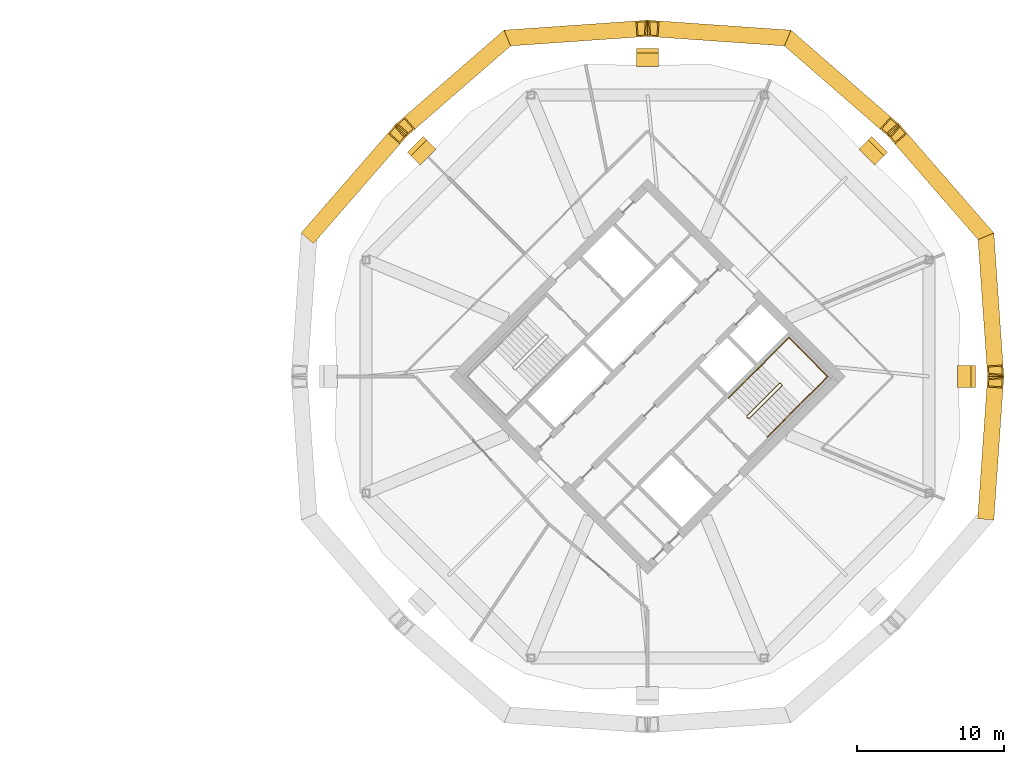
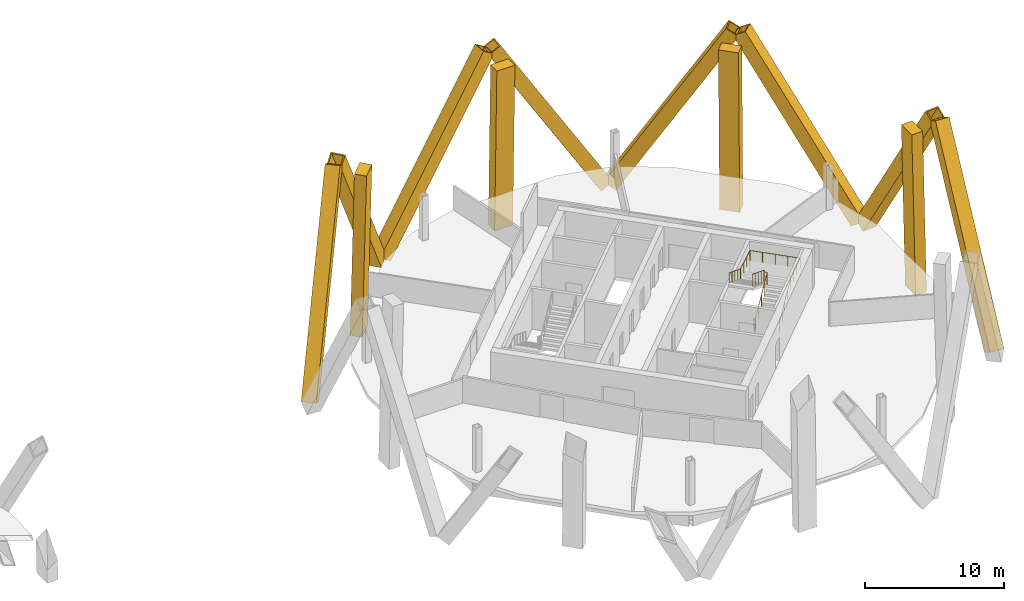
# One storey, part 10 of 10: 12 coverings, 2 railings.
"""IFC4 building model written with IfcOpenShell, lengths in metres."""

from ifc_helpers import new_model, si_unit, direction, frame, origin, origin_2d, place, context, subcontext, project, spatial, rectangle, hollow_rectangle, circle, extrude, material, material_profile, profile_set, type_object, element, save


model = new_model("IFC4")

# Units and contexts
model_context = context("Model", 3, precision=1e-05, world=origin(), true_north=direction((0.0, 1.0)))
body_context = subcontext(model_context, "Body", "Model", "MODEL_VIEW")
ifc_project = project(units=[si_unit("LENGTHUNIT", "METRE"), si_unit("AREAUNIT", "SQUARE_METRE"), si_unit("VOLUMEUNIT", "CUBIC_METRE"), si_unit("PLANEANGLEUNIT", "RADIAN"), si_unit("MASSUNIT", "GRAM", prefix="KILO")], contexts=[model_context])

# Site, building, storey
site_placement = place(None, origin())
site = spatial("IfcSite", under=ifc_project, at=site_placement, CompositionType="ELEMENT")
building_placement = place(site_placement, origin())
building = spatial("IfcBuilding", under=site, at=building_placement, Name="Ogive Gate Towers", CompositionType="ELEMENT")
storey_placement = place(building_placement, frame((0.0, 0.0, 204.60009765625)))
storey = spatial("IfcBuildingStorey", under=building, at=storey_placement, Name="L49", CompositionType="ELEMENT", Elevation=204.60009765625)

# Coverings
ifc_material_1 = material(Name="Pale metal aluminium", Category="aluminium")
ifc_material_profile_1 = material_profile(ifc_material_1, rectangle(XDim=1.5, YDim=0.89990234375, at=origin_2d()), Name="1500 x 900 pale metal aluminium")
ifc_profile_set_1 = profile_set([ifc_material_profile_1], Name="Pale metal aluminium")
covering_type_1 = type_object("IfcCoveringType", Name="Crease colonnette 1500 x 900", PredefinedType="CLADDING", material=ifc_profile_set_1)
for number, where, z_axis, x_axis, name in (
    (1, (57.830078125, 0.0, -3.2001953125), (-0.022533991944, 0.0, 0.999746077365), (0.0, -1.0, 0.0), "Crease colonnette"),
    (2, (51.436279296875, 15.436279296875, -3.2001953125), (-0.015933646626, -0.015933646626, 0.999746086669), (0.707106781187, -0.707106781187, 0.0), "Crease colonnette"),
    (3, (36.0, 21.830078125, -3.2001953125), (0.0, -0.022533991944, 0.999746077365), (1.0, 0.0, 0.0), "Crease colonnette"),
    (4, (20.563720703125, 15.436279296875, -3.2001953125), (0.015933646626, -0.015933646626, 0.999746086669), (0.707106781187, 0.707106781187, 0.0), "Crease colonnette"),
):
    element("IfcCovering", number, at=place(storey_placement, frame(where, z_axis=z_axis, x_axis=x_axis)), inside=storey, type_object=covering_type_1, Name=name, PredefinedType="CLADDING", context=body_context, shape_type="SweptSolid", body=[
        extrude(rectangle(XDim=1.5, YDim=0.89990234375, at=origin_2d()), origin(), (0.0, 0.0, 1.0), 14.203857421875),
    ])
ifc_material_2 = material(Name="Pale metal aluminium cladding", Category="aluminium")
ifc_material_profile_2 = material_profile(ifc_material_2, hollow_rectangle(XDim=1.10009765625, YDim=1.10009765625, WallThickness=0.10009765625, at=origin_2d()), Name="1100 x 1100 pale metal casing")
ifc_profile_set_2 = profile_set([ifc_material_profile_2], Name="Pale metal aluminium cladding")
covering_type_2 = type_object("IfcCoveringType", Name="Diagrid casing 1100 x 1100", PredefinedType="CLADDING", material=ifc_profile_set_2)
for number, where, z_axis, x_axis, name in (
    (5, (58.996826171875, 9.23095703125, -3.430908203125), (0.03626745924, -0.520458638528, 0.853116332619), (0.997580900704, 0.069515081461, 0.0), "Diagrid casing"),
    (6, (58.78857421875, 9.73388671875, -3.430908203125), (-0.342386132428, 0.393668762005, 0.853109982442), (-0.754543383753, -0.656250167264, 0.0), "Diagrid casing"),
    (7, (45.73388671875, 22.78857421875, -3.430908203125), (0.393668762005, -0.342386132428, 0.853109982442), (0.656250167264, 0.754543383753, 0.0), "Diagrid casing"),
    (8, (45.23095703125, 22.996826171875, -3.430908203125), (-0.520458638528, 0.03626745924, 0.853116332619), (-0.069515081461, -0.997580900704, 0.0), "Diagrid casing"),
    (9, (26.76904296875, 22.996826171875, -3.430908203125), (0.520458638528, 0.03626745924, 0.853116332619), (-0.069515081461, 0.997580900704, 0.0), "Diagrid casing"),
    (10, (26.26611328125, 22.78857421875, -3.430908203125), (-0.393668762005, -0.342386132428, 0.853109982442), (0.656250167264, -0.754543383753, 0.0), "Diagrid casing"),
    (11, (13.21142578125, 9.73388671875, -3.430908203125), (0.342386132428, 0.393668762005, 0.853109982442), (-0.754543383753, 0.656250167264, 0.0), "Diagrid casing"),
    (12, (58.996826171875, -9.23095703125, -3.430908203125), (0.03626745924, 0.520458638528, 0.853116332619), (-0.997580900704, 0.069515081461, 0.0), "Diagrid casing"),
):
    element("IfcCovering", number, at=place(storey_placement, frame(where, z_axis=z_axis, x_axis=x_axis)), inside=storey, type_object=covering_type_2, Name=name, PredefinedType="CLADDING", context=body_context, shape_type="SweptSolid", body=[
        extrude(hollow_rectangle(XDim=1.10009765625, YDim=1.10009765625, WallThickness=0.10009765625, at=origin_2d()), origin(), (0.0, 0.0, 1.0), 17.18603515625),
    ])

# Railings
ifc_material_3 = material(Name="Stainless steel", Category="steel")
railing_type_1 = type_object("IfcRailingType", Name="Stair guard 1100", PredefinedType="GUARDRAIL", material=ifc_material_3)
railing_1_placement = place(storey_placement, frame((42.84130859375, -2.8603515625, 0.0)))
element("IfcRailing", 13, at=railing_1_placement, inside=storey, type_object=railing_type_1, Name="L49 ST2 stair guard 1", PredefinedType="GUARDRAIL", context=body_context, shape_type="SweptSolid", body=[
    extrude(circle(Radius=0.02392578125, at=origin_2d()), frame((0.0, 0.0, 1.076171875), z_axis=(-0.707106781187, 0.707106781187, 0.0), x_axis=(-0.707106781187, -0.707106781187, 0.0)), (0.0, 0.0, 1.0), 0.14501953125),
    extrude(circle(Radius=0.02392578125, at=origin_2d()), frame((-0.1025390625, 0.1025390625, 1.076171875), z_axis=(0.645571447971, -0.382425963537, 0.661050594114), x_axis=(0.509669330572, 0.860370369942, 0.0)), (0.0, 0.0, 1.0), 0.26806640625),
    extrude(circle(Radius=0.02392578125, at=origin_2d()), frame((0.070556640625, 0.0, 1.25341796875), z_axis=(0.61558473135, 0.61558473135, 0.49204763698), x_axis=(-0.707106781187, 0.707106781187, 0.0)), (0.0, 0.0, 1.0), 3.602783203125),
    extrude(circle(Radius=0.02392578125, at=origin_2d()), frame((2.288330078125, 2.2177734375, 3.02587890625), z_axis=(0.0, 1.0, 0.0), x_axis=(-1.0, 0.0, 0.0)), (0.0, 0.0, 1.0), 0.07080078125),
    extrude(circle(Radius=0.02392578125, at=origin_2d()), frame((2.288330078125, 2.28857421875, 3.02587890625), z_axis=(-0.707106781187, 0.707106781187, 0.0), x_axis=(-0.707106781187, -0.707106781187, 0.0)), (0.0, 0.0, 1.0), 0.14501953125),
    extrude(circle(Radius=0.02392578125, at=origin_2d()), frame((2.185791015625, 2.39111328125, 3.02587890625), z_axis=(-0.369845645421, 0.0, 0.929093213065), x_axis=(0.0, -1.0, 0.0)), (0.0, 0.0, 1.0), 0.190673828125),
    extrude(circle(Radius=0.02392578125, at=origin_2d()), frame((2.115234375, 2.39111328125, 3.203125), z_axis=(-0.61558473135, -0.61558473135, 0.49204763698), x_axis=(0.707106781187, -0.707106781187, 0.0)), (0.0, 0.0, 1.0), 3.602783203125),
    extrude(circle(Radius=0.02099609375, at=origin_2d()), origin(), (0.0, 0.0, 1.0), 1.052001953125),
    extrude(circle(Radius=0.02099609375, at=origin_2d()), frame((-0.1025390625, 0.1025390625, 0.0)), (0.0, 0.0, 1.0), 1.052001953125),
    extrude(circle(Radius=0.02099609375, at=origin_2d()), frame((0.070556640625, 0.0, 0.17724609375)), (0.0, 0.0, 1.0), 1.052001953125),
    extrude(circle(Radius=0.02099609375, at=origin_2d()), frame((0.625, 0.554443359375, 0.620361328125)), (0.0, 0.0, 1.0), 1.052001953125),
    extrude(circle(Radius=0.02099609375, at=origin_2d()), frame((1.179443359375, 1.10888671875, 1.0634765625)), (0.0, 0.0, 1.0), 1.052001953125),
    extrude(circle(Radius=0.02099609375, at=origin_2d()), frame((1.73388671875, 1.663330078125, 1.5068359375)), (0.0, 0.0, 1.0), 1.052001953125),
    extrude(circle(Radius=0.02099609375, at=origin_2d()), frame((2.288330078125, 2.2177734375, 1.949951171875)), (0.0, 0.0, 1.0), 1.052001953125),
    extrude(circle(Radius=0.02099609375, at=origin_2d()), frame((2.288330078125, 2.28857421875, 1.949951171875)), (0.0, 0.0, 1.0), 1.052001953125),
    extrude(circle(Radius=0.02099609375, at=origin_2d()), frame((2.185791015625, 2.39111328125, 1.949951171875)), (0.0, 0.0, 1.0), 1.052001953125),
    extrude(circle(Radius=0.02099609375, at=origin_2d()), frame((2.115234375, 2.39111328125, 2.127197265625)), (0.0, 0.0, 1.0), 1.052001953125),
    extrude(circle(Radius=0.02099609375, at=origin_2d()), frame((1.560791015625, 1.836669921875, 2.5703125)), (0.0, 0.0, 1.0), 1.052001953125),
    extrude(circle(Radius=0.02099609375, at=origin_2d()), frame((1.00634765625, 1.2822265625, 3.013671875)), (0.0, 0.0, 1.0), 1.052001953125),
    extrude(circle(Radius=0.02099609375, at=origin_2d()), frame((0.451904296875, 0.727783203125, 3.456787109375)), (0.0, 0.0, 1.0), 1.052001953125),
    extrude(circle(Radius=0.02099609375, at=origin_2d()), frame((-0.1025390625, 0.17333984375, 3.89990234375)), (0.0, 0.0, 1.0), 1.052001953125),
])
railing_type_2 = type_object("IfcRailingType", Name="Stair handrail 900", PredefinedType="HANDRAIL", material=ifc_material_3)
railing_2_placement = place(storey_placement, frame((44.142333984375, -4.090576171875, 0.17724609375)))
element("IfcRailing", 14, at=railing_2_placement, inside=storey, type_object=railing_type_2, Name="L49 ST2 stair handrail 1", PredefinedType="HANDRAIL", context=body_context, shape_type="SweptSolid", body=[
    extrude(circle(Radius=0.02392578125, at=origin_2d()), frame((0.0, 0.0, 0.8759765625), z_axis=(0.61558473135, 0.61558473135, 0.49204763698), x_axis=(-0.707106781187, 0.707106781187, 0.0)), (0.0, 0.0, 1.0), 3.602783203125),
    extrude(circle(Radius=0.02392578125, at=origin_2d()), frame((2.2177734375, 2.2177734375, 2.6484375), z_axis=(0.707106781187, 0.707106781187, 0.0), x_axis=(-0.707106781187, 0.707106781187, 0.0)), (0.0, 0.0, 1.0), 2.6484375),
    extrude(circle(Radius=0.02392578125, at=origin_2d()), frame((4.090576171875, 4.090576171875, 2.6484375), z_axis=(-0.707106781187, 0.707106781187, 0.0), x_axis=(-0.707106781187, -0.707106781187, 0.0)), (0.0, 0.0, 1.0), 3.72509765625),
    extrude(circle(Radius=0.02392578125, at=origin_2d()), frame((1.45654296875, 6.724609375, 2.6484375), z_axis=(-0.705482886452, -0.705574853978, 0.066768423356), x_axis=(0.70715286629, -0.70706069308, 0.0)), (0.0, 0.0, 1.0), 2.654541015625),
    extrude(circle(Radius=0.02392578125, at=origin_2d()), frame((-0.416259765625, 4.8515625, 2.82568359375), z_axis=(-0.615610411033, -0.615542642384, 0.4920681632), x_axis=(0.70706785752, -0.70714570271, 0.0)), (0.0, 0.0, 1.0), 3.6025390625),
    extrude(circle(Radius=0.02099609375, at=origin_2d()), origin(), (0.0, 0.0, 1.0), 0.851806640625),
    extrude(circle(Radius=0.02099609375, at=origin_2d()), frame((0.554443359375, 0.554443359375, 0.443115234375)), (0.0, 0.0, 1.0), 0.851806640625),
    extrude(circle(Radius=0.02099609375, at=origin_2d()), frame((1.10888671875, 1.10888671875, 0.88623046875)), (0.0, 0.0, 1.0), 0.851806640625),
    extrude(circle(Radius=0.02099609375, at=origin_2d()), frame((1.663330078125, 1.663330078125, 1.32958984375)), (0.0, 0.0, 1.0), 0.851806640625),
    extrude(circle(Radius=0.02099609375, at=origin_2d()), frame((2.2177734375, 2.2177734375, 1.772705078125)), (0.0, 0.0, 1.0), 0.851806640625),
    extrude(circle(Radius=0.02099609375, at=origin_2d()), frame((2.842041015625, 2.842041015625, 1.772705078125)), (0.0, 0.0, 1.0), 0.851806640625),
    extrude(circle(Radius=0.02099609375, at=origin_2d()), frame((3.46630859375, 3.46630859375, 1.772705078125)), (0.0, 0.0, 1.0), 0.851806640625),
    extrude(circle(Radius=0.02099609375, at=origin_2d()), frame((4.090576171875, 4.090576171875, 1.772705078125)), (0.0, 0.0, 1.0), 0.851806640625),
    extrude(circle(Radius=0.02099609375, at=origin_2d()), frame((3.43212890625, 4.7490234375, 1.772705078125)), (0.0, 0.0, 1.0), 0.851806640625),
    extrude(circle(Radius=0.02099609375, at=origin_2d()), frame((2.7734375, 5.40771484375, 1.772705078125)), (0.0, 0.0, 1.0), 0.851806640625),
    extrude(circle(Radius=0.02099609375, at=origin_2d()), frame((2.114990234375, 6.066162109375, 1.772705078125)), (0.0, 0.0, 1.0), 0.851806640625),
    extrude(circle(Radius=0.02099609375, at=origin_2d()), frame((1.45654296875, 6.724609375, 1.772705078125)), (0.0, 0.0, 1.0), 0.851806640625),
    extrude(circle(Radius=0.02099609375, at=origin_2d()), frame((0.832275390625, 6.100341796875, 1.831787109375)), (0.0, 0.0, 1.0), 0.851806640625),
    extrude(circle(Radius=0.02099609375, at=origin_2d()), frame((0.2080078125, 5.475830078125, 1.890869140625)), (0.0, 0.0, 1.0), 0.851806640625),
    extrude(circle(Radius=0.02099609375, at=origin_2d()), frame((-0.416259765625, 4.8515625, 1.949951171875)), (0.0, 0.0, 1.0), 0.851806640625),
    extrude(circle(Radius=0.02099609375, at=origin_2d()), frame((-0.970703125, 4.297119140625, 2.39306640625)), (0.0, 0.0, 1.0), 0.851806640625),
    extrude(circle(Radius=0.02099609375, at=origin_2d()), frame((-1.525146484375, 3.74267578125, 2.83642578125)), (0.0, 0.0, 1.0), 0.851806640625),
    extrude(circle(Radius=0.02099609375, at=origin_2d()), frame((-2.07958984375, 3.1884765625, 3.279541015625)), (0.0, 0.0, 1.0), 0.851806640625),
    extrude(circle(Radius=0.02099609375, at=origin_2d()), frame((-2.634033203125, 2.634033203125, 3.72265625)), (0.0, 0.0, 1.0), 0.851806640625),
])

save(model, "model.ifc")
